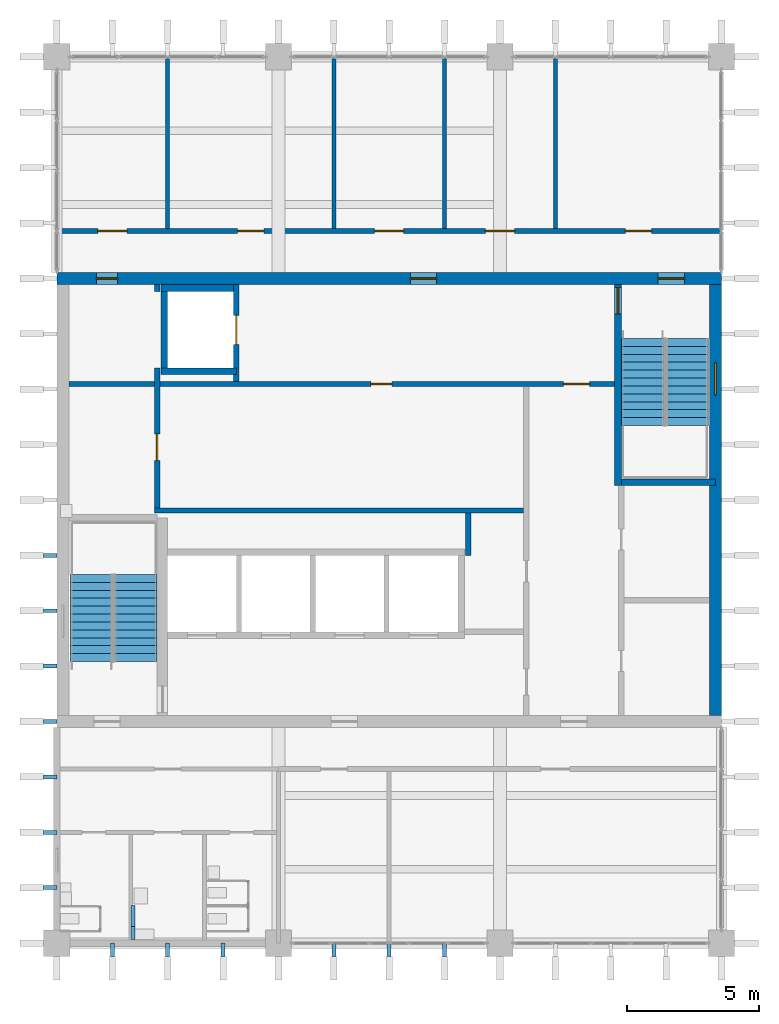
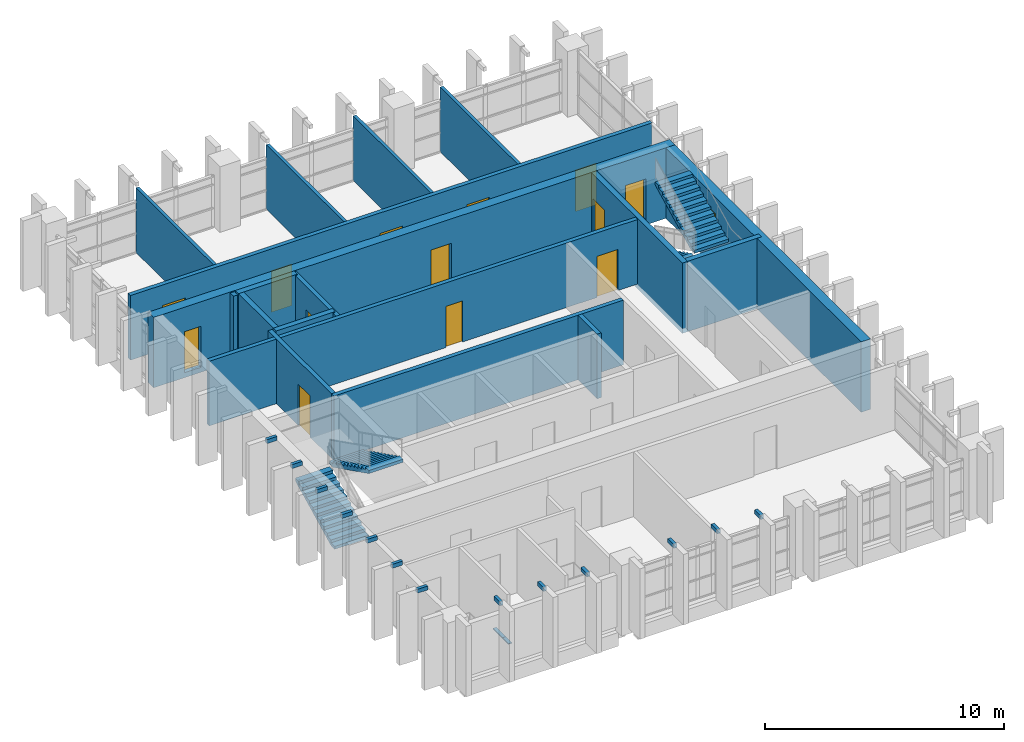
# One storey, part 8 of 11: 18 walls, 15 discrete accessories, 13 doors, 4 stair flights, 1 window, 14 openings, 2 elements without a shape of their own.
"""IFC4 building model written with IfcOpenShell, lengths in metres."""

from ifc_helpers import new_model, si_unit, direction, frame, frame_2d, origin, origin_2d, place, context, subcontext, project, spatial, polyline, rectangle, outline, extrude, material, layer, layer_set, type_object, element, fill, aggregate, save


model = new_model("IFC4")

# Units and contexts
model_context = context("Model", 3, precision=1e-05, world=origin(), true_north=direction((0.0, 1.0)))
body_context = subcontext(model_context, "Body", "Model", "MODEL_VIEW")
ifc_project = project(units=[si_unit("LENGTHUNIT", "METRE"), si_unit("AREAUNIT", "SQUARE_METRE"), si_unit("VOLUMEUNIT", "CUBIC_METRE"), si_unit("PLANEANGLEUNIT", "RADIAN"), si_unit("MASSUNIT", "GRAM", prefix="KILO")], contexts=[model_context])

# Site, building, storey
site_placement = place(None, origin())
site = spatial("IfcSite", under=ifc_project, at=site_placement, CompositionType="ELEMENT")
building_placement = place(site_placement, origin())
building = spatial("IfcBuilding", under=site, at=building_placement, Name="Rulbaag Community and Learning Centre", CompositionType="ELEMENT")
storey_placement = place(building_placement, frame((0.0, 0.0, 21.60009765625)))
storey = spatial("IfcBuildingStorey", under=building, at=storey_placement, Name="L05", CompositionType="ELEMENT", Elevation=21.60009765625)

# Wall
ifc_material_1 = material(Name="Concrete blockwork", Category="masonry")
ifc_layer_1 = layer(ifc_material_1, 0.199951171875)
ifc_layer_set_1 = layer_set([ifc_layer_1], Name="FW-200 FIRE WALL 200")
wall_type_1 = type_object("IfcWallType", Name="FW-200 FIRE WALL 200", PredefinedType="SOLIDWALL", material=ifc_layer_set_1)
wall_1_placement = place(storey_placement, frame((146.5, 100.39990234375, 0.0), z_axis=(0.0, 0.0, 1.0), x_axis=(1.0, 0.0, 0.0)))
element("IfcWall", 1, at=wall_1_placement, inside=storey, type_object=wall_type_1, Name="Fire wall L05 8", PredefinedType="SOLIDWALL", context=body_context, shape_type="SweptSolid", body=[
    extrude(rectangle(XDim=14.0, YDim=0.199951171875, at=frame_2d((7.0, 0.0))), origin(), (0.0, 0.0, 1.0), 3.2998046875),
])

# Wall, openings, doors
wall_2_placement = place(storey_placement, frame((143.25, 105.199951171875, 0.0), z_axis=(0.0, 0.0, 1.0), x_axis=(1.0, 0.0, 0.0)))
wall_2 = element("IfcWall", 2, at=wall_2_placement, inside=storey, type_object=wall_type_1, Name="Fire wall L05 9", PredefinedType="SOLIDWALL", context=body_context, shape_type="SweptSolid", body=[
    extrude(rectangle(XDim=20.699951171875, YDim=0.199951171875, at=frame_2d((10.35009765625, 0.0))), origin(), (0.0, 0.0, 1.0), 3.2998046875),
])
opening_1_placement = place(wall_2_placement, frame((11.449951171875, 0.0, 0.0)))
opening_1 = element("IfcOpeningElement", 3, at=opening_1_placement, cuts=wall_2, Name="Opening L05-D020", PredefinedType="OPENING", context=body_context, shape_type="SweptSolid", body=[
    extrude(rectangle(XDim=0.800048828125, YDim=2.10009765625, at=frame_2d((0.39990234375, 1.050048828125))), frame((0.0, 0.10986328125, 0.0), z_axis=(0.0, -1.0, 0.0), x_axis=(1.0, 0.0, 0.0)), (0.0, 0.0, 1.0), 0.219970703125),
])
opening_2_placement = place(wall_2_placement, frame((18.75, 0.0, 0.0)))
opening_2 = element("IfcOpeningElement", 4, at=opening_2_placement, cuts=wall_2, Name="Opening L05-D029", PredefinedType="OPENING", context=body_context, shape_type="SweptSolid", body=[
    extrude(rectangle(XDim=1.0, YDim=2.10009765625, at=frame_2d((0.5, 1.050048828125))), frame((0.0, 0.10986328125, 0.0), z_axis=(0.0, -1.0, 0.0), x_axis=(1.0, 0.0, 0.0)), (0.0, 0.0, 1.0), 0.219970703125),
])
ifc_material_2 = material(Name="Galvanised steel", Category="steel")
door_type_1 = type_object("IfcDoorType", Name="FD-1000 FIRE DOOR 1000 x 2100", OperationType="SINGLE_SWING_LEFT", PredefinedType="DOOR", material=ifc_material_2)
door_1_placement = place(opening_2_placement, origin())
door_1 = element("IfcDoor", 5, at=door_1_placement, inside=storey, type_object=door_type_1, Name="Door L05-D029", OperationType="SINGLE_SWING_LEFT", OverallHeight=2.10009765625, OverallWidth=1.0, PredefinedType="DOOR", context=body_context, shape_type="SweptSolid", body=[
    extrude(rectangle(XDim=1.0, YDim=2.10009765625, at=frame_2d((0.5, 1.050048828125))), frame((0.0, 0.02490234375, 0.0), z_axis=(0.0, -1.0, 0.0), x_axis=(1.0, 0.0, 0.0)), (0.0, 0.0, 1.0), 0.050048828125),
])
fill(opening_2, door_1)
door_type_2 = type_object("IfcDoorType", Name="FDR-800 RISER FIRE DOOR 800 x 2100", OperationType="SINGLE_SWING_LEFT", PredefinedType="DOOR", material=ifc_material_2)
door_2_placement = place(opening_1_placement, origin())
door_2 = element("IfcDoor", 6, at=door_2_placement, inside=storey, type_object=door_type_2, Name="Riser door L05-D023", OperationType="SINGLE_SWING_RIGHT", OverallHeight=2.10009765625, OverallWidth=0.800048828125, PredefinedType="DOOR", context=body_context, shape_type="SweptSolid", body=[
    extrude(rectangle(XDim=0.800048828125, YDim=2.10009765625, at=frame_2d((0.39990234375, 1.050048828125))), frame((0.0, 0.02490234375, 0.0), z_axis=(0.0, -1.0, 0.0), x_axis=(1.0, 0.0, 0.0)), (0.0, 0.0, 1.0), 0.050048828125),
])
fill(opening_1, door_2)

wall_3_placement = place(storey_placement, frame((142.800048828125, 111.0, 0.0), z_axis=(0.0, 0.0, 1.0), x_axis=(1.0, 0.0, 0.0)))
wall_3 = element("IfcWall", 7, at=wall_3_placement, inside=storey, type_object=wall_type_1, Name="Fire wall L05 10", PredefinedType="SOLIDWALL", context=body_context, shape_type="SweptSolid", body=[
    extrude(rectangle(XDim=25.199951171875, YDim=0.199951171875, at=frame_2d((12.60009765625, 0.0))), origin(), (0.0, 0.0, 1.0), 3.2998046875),
])
opening_3_placement = place(wall_3_placement, frame((1.550048828125, 0.0, 0.0)))
opening_3 = element("IfcOpeningElement", 8, at=opening_3_placement, cuts=wall_3, Name="Opening L05-D005", PredefinedType="OPENING", context=body_context, shape_type="SweptSolid", body=[
    extrude(rectangle(XDim=1.10009765625, YDim=2.25, at=frame_2d((0.550048828125, 1.125))), frame((0.0, 0.10986328125, 0.0), z_axis=(0.0, -1.0, 0.0), x_axis=(1.0, 0.0, 0.0)), (0.0, 0.0, 1.0), 0.219970703125),
])
opening_4_placement = place(wall_3_placement, frame((6.85009765625, 0.0, 0.0)))
opening_4 = element("IfcOpeningElement", 9, at=opening_4_placement, cuts=wall_3, Name="Opening L05-D015", PredefinedType="OPENING", context=body_context, shape_type="SweptSolid", body=[
    extrude(rectangle(XDim=1.0, YDim=2.10009765625, at=frame_2d((0.5, 1.050048828125))), frame((0.0, 0.10986328125, 0.0), z_axis=(0.0, -1.0, 0.0), x_axis=(1.0, 0.0, 0.0)), (0.0, 0.0, 1.0), 0.219970703125),
])
opening_5_placement = place(wall_3_placement, frame((12.050048828125, 0.0, 0.0)))
opening_5 = element("IfcOpeningElement", 10, at=opening_5_placement, cuts=wall_3, Name="Opening L05-D021", PredefinedType="OPENING", context=body_context, shape_type="SweptSolid", body=[
    extrude(rectangle(XDim=1.10009765625, YDim=2.25, at=frame_2d((0.550048828125, 1.125))), frame((0.0, 0.10986328125, 0.0), z_axis=(0.0, -1.0, 0.0), x_axis=(1.0, 0.0, 0.0)), (0.0, 0.0, 1.0), 0.219970703125),
])
opening_6_placement = place(wall_3_placement, frame((16.25, 0.0, 0.0)))
opening_6 = element("IfcOpeningElement", 11, at=opening_6_placement, cuts=wall_3, Name="Opening L05-D024", PredefinedType="OPENING", context=body_context, shape_type="SweptSolid", body=[
    extrude(rectangle(XDim=1.10009765625, YDim=2.25, at=frame_2d((0.550048828125, 1.125))), frame((0.0, 0.10986328125, 0.0), z_axis=(0.0, -1.0, 0.0), x_axis=(1.0, 0.0, 0.0)), (0.0, 0.0, 1.0), 0.219970703125),
])
opening_7_placement = place(wall_3_placement, frame((21.550048828125, 0.0, 0.0)))
opening_7 = element("IfcOpeningElement", 12, at=opening_7_placement, cuts=wall_3, Name="Opening L05-D033", PredefinedType="OPENING", context=body_context, shape_type="SweptSolid", body=[
    extrude(rectangle(XDim=1.0, YDim=2.10009765625, at=frame_2d((0.5, 1.050048828125))), frame((0.0, 0.10986328125, 0.0), z_axis=(0.0, -1.0, 0.0), x_axis=(1.0, 0.0, 0.0)), (0.0, 0.0, 1.0), 0.219970703125),
])
ifc_material_3 = material(Name="Timber", Category="wood")
door_type_3 = type_object("IfcDoorType", Name="D-1100 OFFICE SUITE ENTRANCE DOOR 1100 x 2250", OperationType="SINGLE_SWING_LEFT", PredefinedType="DOOR", material=ifc_material_3)
door_3_placement = place(opening_3_placement, origin())
door_3 = element("IfcDoor", 13, at=door_3_placement, inside=storey, type_object=door_type_3, Name="Door L05-D005", OperationType="SINGLE_SWING_RIGHT", OverallHeight=2.25, OverallWidth=1.10009765625, PredefinedType="DOOR", context=body_context, shape_type="SweptSolid", body=[
    extrude(rectangle(XDim=1.10009765625, YDim=2.25, at=frame_2d((0.550048828125, 1.125))), frame((0.0, 0.02490234375, 0.0), z_axis=(0.0, -1.0, 0.0), x_axis=(1.0, 0.0, 0.0)), (0.0, 0.0, 1.0), 0.050048828125),
])
fill(opening_3, door_3)
door_4_placement = place(opening_5_placement, origin())
door_4 = element("IfcDoor", 14, at=door_4_placement, inside=storey, type_object=door_type_3, Name="Door L05-D021", OperationType="SINGLE_SWING_RIGHT", OverallHeight=2.25, OverallWidth=1.10009765625, PredefinedType="DOOR", context=body_context, shape_type="SweptSolid", body=[
    extrude(rectangle(XDim=1.10009765625, YDim=2.25, at=frame_2d((0.550048828125, 1.125))), frame((0.0, 0.02490234375, 0.0), z_axis=(0.0, -1.0, 0.0), x_axis=(1.0, 0.0, 0.0)), (0.0, 0.0, 1.0), 0.050048828125),
])
fill(opening_5, door_4)
door_5_placement = place(opening_6_placement, origin())
door_5 = element("IfcDoor", 15, at=door_5_placement, inside=storey, type_object=door_type_3, Name="Door L05-D024", OperationType="SINGLE_SWING_LEFT", OverallHeight=2.25, OverallWidth=1.10009765625, PredefinedType="DOOR", context=body_context, shape_type="SweptSolid", body=[
    extrude(rectangle(XDim=1.10009765625, YDim=2.25, at=frame_2d((0.550048828125, 1.125))), frame((0.0, 0.02490234375, 0.0), z_axis=(0.0, -1.0, 0.0), x_axis=(1.0, 0.0, 0.0)), (0.0, 0.0, 1.0), 0.050048828125),
])
fill(opening_6, door_5)
door_6_placement = place(opening_4_placement, origin())
door_6 = element("IfcDoor", 16, at=door_6_placement, inside=storey, type_object=door_type_1, Name="Door L05-D015", OperationType="SINGLE_SWING_RIGHT", OverallHeight=2.10009765625, OverallWidth=1.0, PredefinedType="DOOR", context=body_context, shape_type="SweptSolid", body=[
    extrude(rectangle(XDim=1.0, YDim=2.10009765625, at=frame_2d((0.5, 1.050048828125))), frame((0.0, 0.02490234375, 0.0), z_axis=(0.0, -1.0, 0.0), x_axis=(1.0, 0.0, 0.0)), (0.0, 0.0, 1.0), 0.050048828125),
])
fill(opening_4, door_6)
door_7_placement = place(opening_7_placement, origin())
door_7 = element("IfcDoor", 17, at=door_7_placement, inside=storey, type_object=door_type_1, Name="Door L05-D033", OperationType="SINGLE_SWING_LEFT", OverallHeight=2.10009765625, OverallWidth=1.0, PredefinedType="DOOR", context=body_context, shape_type="SweptSolid", body=[
    extrude(rectangle(XDim=1.0, YDim=2.10009765625, at=frame_2d((0.5, 1.050048828125))), frame((0.0, 0.02490234375, 0.0), z_axis=(0.0, -1.0, 0.0), x_axis=(1.0, 0.0, 0.0)), (0.0, 0.0, 1.0), 0.050048828125),
])
fill(opening_7, door_7)

# Wall, opening, door
wall_4_placement = place(storey_placement, frame((146.60009765625, 100.5, 0.0), z_axis=(0.0, 0.0, 1.0), x_axis=(0.0, 1.0, 0.0)))
wall_4 = element("IfcWall", 18, at=wall_4_placement, inside=storey, type_object=wall_type_1, Name="Fire wall L05 12", PredefinedType="SOLIDWALL", context=body_context, shape_type="SweptSolid", body=[
    extrude(rectangle(XDim=5.300048828125, YDim=0.199951171875, at=frame_2d((2.64990234375, 0.0))), origin(), (0.0, 0.0, 1.0), 3.2998046875),
])
opening_8_placement = place(wall_4_placement, frame((1.800048828125, 0.0, 0.0)))
opening_8 = element("IfcOpeningElement", 19, at=opening_8_placement, cuts=wall_4, Name="Opening L05-D006", PredefinedType="OPENING", context=body_context, shape_type="SweptSolid", body=[
    extrude(rectangle(XDim=1.0, YDim=2.10009765625, at=frame_2d((0.5, 1.050048828125))), frame((0.0, 0.10986328125, 0.0), z_axis=(0.0, -1.0, 0.0), x_axis=(1.0, 0.0, 0.0)), (0.0, 0.0, 1.0), 0.219970703125),
])
door_8_placement = place(opening_8_placement, origin())
door_8 = element("IfcDoor", 20, at=door_8_placement, inside=storey, type_object=door_type_1, Name="Door L05-D006", OperationType="SINGLE_SWING_LEFT", OverallHeight=2.10009765625, OverallWidth=1.0, PredefinedType="DOOR", context=body_context, shape_type="SweptSolid", body=[
    extrude(rectangle(XDim=1.0, YDim=2.10009765625, at=frame_2d((0.5, 1.050048828125))), frame((0.0, 0.02490234375, 0.0), z_axis=(0.0, -1.0, 0.0), x_axis=(1.0, 0.0, 0.0)), (0.0, 0.0, 1.0), 0.050048828125),
])
fill(opening_8, door_8)

# Wall
wall_5_placement = place(storey_placement, frame((146.60009765625, 108.699951171875, 0.0), z_axis=(0.0, 0.0, 1.0), x_axis=(0.0, 1.0, 0.0)))
element("IfcWall", 21, at=wall_5_placement, inside=storey, type_object=wall_type_1, Name="Fire wall L05 13", PredefinedType="SOLIDWALL", context=body_context, shape_type="SweptSolid", body=[
    extrude(rectangle(XDim=0.275146484375, YDim=0.199951171875, at=frame_2d((0.1376953125, 0.0))), origin(), (0.0, 0.0, 1.0), 3.2998046875),
])

# Wall, opening, door
wall_6_placement = place(storey_placement, frame((149.60009765625, 105.300048828125, 0.0), z_axis=(0.0, 0.0, 1.0), x_axis=(0.0, 1.0, 0.0)))
wall_6 = element("IfcWall", 22, at=wall_6_placement, inside=storey, type_object=wall_type_1, Name="Fire wall L05 16", PredefinedType="SOLIDWALL", context=body_context, shape_type="SweptSolid", body=[
    extrude(rectangle(XDim=3.675048828125, YDim=0.199951171875, at=frame_2d((1.83740234375, 0.0))), origin(), (0.0, 0.0, 1.0), 3.2998046875),
])
opening_9_placement = place(wall_6_placement, frame((1.39990234375, 0.0, 0.0)))
opening_9 = element("IfcOpeningElement", 23, at=opening_9_placement, cuts=wall_6, Name="Opening L05-D011", PredefinedType="OPENING", context=body_context, shape_type="SweptSolid", body=[
    extrude(rectangle(XDim=1.10009765625, YDim=2.10009765625, at=frame_2d((0.550048828125, 1.050048828125))), frame((0.0, 0.10986328125, 0.0), z_axis=(0.0, -1.0, 0.0), x_axis=(1.0, 0.0, 0.0)), (0.0, 0.0, 1.0), 0.219970703125),
])
ifc_material_4 = material(Name="Stainless steel grade 304", Category="steel")
door_type_4 = type_object("IfcDoorType", Name="LD-1100 LIFT LANDING DOOR 1100 x 2100", OperationType="SLIDING_TO_LEFT", PredefinedType="DOOR", material=ifc_material_4)
door_9_placement = place(opening_9_placement, origin())
door_9 = element("IfcDoor", 24, at=door_9_placement, inside=storey, type_object=door_type_4, Name="Lift landing door LF1 L05", OperationType="SLIDING_TO_LEFT", OverallHeight=2.10009765625, OverallWidth=1.10009765625, PredefinedType="DOOR", context=body_context, shape_type="SweptSolid", body=[
    extrude(rectangle(XDim=1.10009765625, YDim=2.10009765625, at=frame_2d((0.550048828125, 1.050048828125))), frame((0.0, 0.02490234375, 0.0), z_axis=(0.0, -1.0, 0.0), x_axis=(1.0, 0.0, 0.0)), (0.0, 0.0, 1.0), 0.050048828125),
])
fill(opening_9, door_9)

# Walls
wall_7_placement = place(storey_placement, frame((158.39990234375, 98.699951171875, 0.0), z_axis=(0.0, 0.0, 1.0), x_axis=(0.0, 1.0, 0.0)))
element("IfcWall", 25, at=wall_7_placement, inside=storey, type_object=wall_type_1, Name="Fire wall L05 21", PredefinedType="SOLIDWALL", context=body_context, shape_type="SweptSolid", body=[
    extrude(rectangle(XDim=1.60009765625, YDim=0.199951171875, at=frame_2d((0.800048828125, 0.0))), origin(), (0.0, 0.0, 1.0), 3.2998046875),
])
ifc_layer_2 = layer(ifc_material_1, 0.14990234375)
ifc_layer_set_2 = layer_set([ifc_layer_2], Name="IP-150 PARTITION 150")
wall_type_2 = type_object("IfcWallType", Name="IP-150 PARTITION 150", PredefinedType="PARTITIONING", material=ifc_layer_set_2)
for number, where, z_axis, x_axis, name in (
    (26, (147.0, 111.10009765625, 0.0), (0.0, 0.0, 1.0), (0.0, 1.0, 0.0), "Partition L05 14"),
    (27, (153.300048828125, 111.10009765625, 0.0), (0.0, 0.0, 1.0), (0.0, 1.0, 0.0), "Partition L05 18"),
    (28, (157.5, 111.10009765625, 0.0), (0.0, 0.0, 1.0), (0.0, 1.0, 0.0), "Partition L05 20"),
    (29, (161.699951171875, 111.10009765625, 0.0), (0.0, 0.0, 1.0), (0.0, 1.0, 0.0), "Partition L05 23"),
):
    element("IfcWall", number, at=place(storey_placement, frame(where, z_axis=z_axis, x_axis=x_axis)), inside=storey, type_object=wall_type_2, Name=name, PredefinedType="PARTITIONING", context=body_context, shape_type="SweptSolid", body=[
        extrude(rectangle(XDim=6.5, YDim=0.14990234375, at=frame_2d((3.25, 0.0))), origin(), (0.0, 0.0, 1.0), 3.2998046875),
    ])

# Wall, openings, doors
ifc_material_5 = material(Name="Concrete M60", Category="concrete")
ifc_layer_3 = layer(ifc_material_5, 0.449951171875)
ifc_layer_set_3 = layer_set([ifc_layer_3], Name="W1 Core wall 450 Concrete M60")
wall_type_3 = type_object("IfcWallType", Name="W1 Core wall 450 Concrete M60", PredefinedType="SHEAR", material=ifc_layer_set_3)
wall_8_placement = place(storey_placement, frame((142.800048828125, 109.199951171875, -0.25), z_axis=(0.0, 0.0, 1.0), x_axis=(1.0, 0.0, 0.0)))
wall_8 = element("IfcWall", 30, at=wall_8_placement, inside=storey, type_object=wall_type_3, Name="WL-CORE-N-L05", PredefinedType="SHEAR", context=body_context, shape_type="SweptSolid", body=[
    extrude(rectangle(XDim=25.199951171875, YDim=0.449951171875, at=frame_2d((12.60009765625, 0.0))), origin(), (0.0, 0.0, 1.0), 3.599853515625),
])
opening_10_placement = place(wall_8_placement, frame((22.800048828125, 0.0, 0.25)))
opening_10 = element("IfcOpeningElement", 31, at=opening_10_placement, cuts=wall_8, Name="Opening L05-D034", PredefinedType="OPENING", context=body_context, shape_type="SweptSolid", body=[
    extrude(rectangle(XDim=1.0, YDim=2.10009765625, at=frame_2d((0.5, 1.050048828125))), frame((0.0, 0.23486328125, 0.0), z_axis=(0.0, -1.0, 0.0), x_axis=(1.0, 0.0, 0.0)), (0.0, 0.0, 1.0), 0.469970703125),
])
opening_11_placement = place(wall_8_placement, frame((1.5, 0.0, 0.25)))
opening_11 = element("IfcOpeningElement", 32, at=opening_11_placement, cuts=wall_8, Name="Opening L05-D004", PredefinedType="OPENING", context=body_context, shape_type="SweptSolid", body=[
    extrude(rectangle(XDim=0.800048828125, YDim=2.10009765625, at=frame_2d((0.39990234375, 1.050048828125))), frame((0.0, 0.23486328125, 0.0), z_axis=(0.0, -1.0, 0.0), x_axis=(1.0, 0.0, 0.0)), (0.0, 0.0, 1.0), 0.469970703125),
])
opening_12_placement = place(wall_8_placement, frame((13.39990234375, 0.0, 0.25)))
opening_12 = element("IfcOpeningElement", 33, at=opening_12_placement, cuts=wall_8, Name="Opening L05-D023", PredefinedType="OPENING", context=body_context, shape_type="SweptSolid", body=[
    extrude(rectangle(XDim=1.0, YDim=2.10009765625, at=frame_2d((0.5, 1.050048828125))), frame((0.0, 0.23486328125, 0.0), z_axis=(0.0, -1.0, 0.0), x_axis=(1.0, 0.0, 0.0)), (0.0, 0.0, 1.0), 0.469970703125),
])
door_10_placement = place(opening_10_placement, origin())
door_10 = element("IfcDoor", 34, at=door_10_placement, inside=storey, type_object=door_type_1, Name="Door L05-D034", OperationType="SINGLE_SWING_LEFT", OverallHeight=2.10009765625, OverallWidth=1.0, PredefinedType="DOOR", context=body_context, shape_type="SweptSolid", body=[
    extrude(rectangle(XDim=1.0, YDim=2.10009765625, at=frame_2d((0.5, 1.050048828125))), frame((0.0, 0.02490234375, 0.0), z_axis=(0.0, -1.0, 0.0), x_axis=(1.0, 0.0, 0.0)), (0.0, 0.0, 1.0), 0.050048828125),
])
fill(opening_10, door_10)
door_11_placement = place(opening_12_placement, origin())
door_11 = element("IfcDoor", 35, at=door_11_placement, inside=storey, type_object=door_type_1, Name="Door L05-D023", OperationType="SINGLE_SWING_LEFT", OverallHeight=2.10009765625, OverallWidth=1.0, PredefinedType="DOOR", context=body_context, shape_type="SweptSolid", body=[
    extrude(rectangle(XDim=1.0, YDim=2.10009765625, at=frame_2d((0.5, 1.050048828125))), frame((0.0, 0.02490234375, 0.0), z_axis=(0.0, -1.0, 0.0), x_axis=(1.0, 0.0, 0.0)), (0.0, 0.0, 1.0), 0.050048828125),
])
fill(opening_12, door_11)
door_12_placement = place(opening_11_placement, origin())
door_12 = element("IfcDoor", 36, at=door_12_placement, inside=storey, type_object=door_type_2, Name="Riser door L05-D025", OperationType="SINGLE_SWING_LEFT", OverallHeight=2.10009765625, OverallWidth=0.800048828125, PredefinedType="DOOR", context=body_context, shape_type="SweptSolid", body=[
    extrude(rectangle(XDim=0.800048828125, YDim=2.10009765625, at=frame_2d((0.39990234375, 1.050048828125))), frame((0.0, 0.02490234375, 0.0), z_axis=(0.0, -1.0, 0.0), x_axis=(1.0, 0.0, 0.0)), (0.0, 0.0, 1.0), 0.050048828125),
])
fill(opening_11, door_12)

# Wall, opening, window
wall_9_placement = place(storey_placement, frame((167.77490234375, 92.625, -0.25), z_axis=(0.0, 0.0, 1.0), x_axis=(0.0, 1.0, 0.0)))
wall_9 = element("IfcWall", 37, at=wall_9_placement, inside=storey, type_object=wall_type_3, Name="WL-CORE-E-L05", PredefinedType="SHEAR", context=body_context, shape_type="SweptSolid", body=[
    extrude(rectangle(XDim=16.35009765625, YDim=0.449951171875, at=frame_2d((8.175048828125, 0.0))), origin(), (0.0, 0.0, 1.0), 3.599853515625),
])
opening_13_placement = place(wall_9_placement, frame((12.175048828125, 0.0, 1.85009765625)))
opening_13 = element("IfcOpeningElement", 38, at=opening_13_placement, cuts=wall_9, Name="Opening WN19", PredefinedType="OPENING", context=body_context, shape_type="SweptSolid", body=[
    extrude(rectangle(XDim=1.199951171875, YDim=0.89990234375, at=frame_2d((0.60009765625, 0.449951171875))), frame((0.0, 0.23486328125, 0.0), z_axis=(0.0, -1.0, 0.0), x_axis=(1.0, 0.0, 0.0)), (0.0, 0.0, 1.0), 0.469970703125),
])
ifc_material_6 = material(Name="Aluminium", Category="aluminium")
window_type = type_object("IfcWindowType", Name="WS-12", PartitioningType="SINGLE_PANEL", PredefinedType="WINDOW", material=ifc_material_6)
window_placement = place(opening_13_placement, origin())
window = element("IfcWindow", 39, at=window_placement, inside=storey, type_object=window_type, Name="Stair window", OverallHeight=0.89990234375, OverallWidth=1.199951171875, PartitioningType="SINGLE_PANEL", PredefinedType="WINDOW", context=body_context, shape_type="SweptSolid", body=[
    extrude(rectangle(XDim=1.199951171875, YDim=0.89990234375, at=frame_2d((0.60009765625, 0.449951171875))), frame((0.0, 0.030029296875, 0.0), z_axis=(0.0, -1.0, 0.0), x_axis=(1.0, 0.0, 0.0)), (0.0, 0.0, 1.0), 0.06005859375),
])
fill(opening_13, window)

# Wall
ifc_material_7 = material(Name="Concrete M40", Category="concrete")
ifc_layer_4 = layer(ifc_material_7, 0.27490234375)
ifc_layer_set_4 = layer_set([ifc_layer_4], Name="W16 Shaft wall 275 Concrete M40")
wall_type_4 = type_object("IfcWallType", Name="W16 Shaft wall 275 Concrete M40", PredefinedType="SHEAR", material=ifc_layer_set_4)
wall_10_placement = place(storey_placement, frame((146.75, 108.83740234375, -0.25), z_axis=(0.0, 0.0, 1.0), x_axis=(1.0, 0.0, 0.0)))
element("IfcWall", 40, at=wall_10_placement, inside=storey, type_object=wall_type_4, Name="WL-LF-N-L05", PredefinedType="SHEAR", context=body_context, shape_type="SweptSolid", body=[
    extrude(rectangle(XDim=2.85009765625, YDim=0.27490234375, at=frame_2d((1.425048828125, 0.0))), origin(), (0.0, 0.0, 1.0), 3.599853515625),
])

# Wall, opening, door
ifc_layer_5 = layer(ifc_material_7, 0.25)
ifc_layer_set_5 = layer_set([ifc_layer_5], Name="W5 Shaft wall 250 Concrete M40")
wall_type_5 = type_object("IfcWallType", Name="W5 Shaft wall 250 Concrete M40", PredefinedType="SHEAR", material=ifc_layer_set_5)
wall_11_placement = place(storey_placement, frame((164.074951171875, 101.35009765625, -0.25), z_axis=(0.0, 0.0, 1.0), x_axis=(0.0, 1.0, 0.0)))
wall_11 = element("IfcWall", 41, at=wall_11_placement, inside=storey, type_object=wall_type_5, Name="WL-ST2-W-L05", PredefinedType="SHEAR", context=body_context, shape_type="SweptSolid", body=[
    extrude(rectangle(XDim=7.625, YDim=0.25, at=frame_2d((3.8125, 0.0))), origin(), (0.0, 0.0, 1.0), 3.599853515625),
])
opening_14_placement = place(wall_11_placement, frame((6.5, 0.0, 0.25)))
opening_14 = element("IfcOpeningElement", 42, at=opening_14_placement, cuts=wall_11, Name="Opening L05-D030", PredefinedType="OPENING", context=body_context, shape_type="SweptSolid", body=[
    extrude(rectangle(XDim=1.0, YDim=2.10009765625, at=frame_2d((0.5, 1.050048828125))), frame((0.0, 0.135009765625, 0.0), z_axis=(0.0, -1.0, 0.0), x_axis=(1.0, 0.0, 0.0)), (0.0, 0.0, 1.0), 0.27001953125),
])
door_13_placement = place(opening_14_placement, origin())
door_13 = element("IfcDoor", 43, at=door_13_placement, inside=storey, type_object=door_type_1, Name="Door L05-D030", OperationType="SINGLE_SWING_LEFT", OverallHeight=2.10009765625, OverallWidth=1.0, PredefinedType="DOOR", context=body_context, shape_type="SweptSolid", body=[
    extrude(rectangle(XDim=1.0, YDim=2.10009765625, at=frame_2d((0.5, 1.050048828125))), frame((0.0, 0.02490234375, 0.0), z_axis=(0.0, -1.0, 0.0), x_axis=(1.0, 0.0, 0.0)), (0.0, 0.0, 1.0), 0.050048828125),
])
fill(opening_14, door_13)

# Walls
wall_12_placement = place(storey_placement, frame((164.199951171875, 101.47509765625, -0.25), z_axis=(0.0, 0.0, 1.0), x_axis=(1.0, 0.0, 0.0)))
element("IfcWall", 44, at=wall_12_placement, inside=storey, type_object=wall_type_5, Name="WL-ST2-S-L05", PredefinedType="SHEAR", context=body_context, shape_type="SweptSolid", body=[
    extrude(rectangle(XDim=3.574951171875, YDim=0.25, at=frame_2d((1.78759765625, 0.0))), origin(), (0.0, 0.0, 1.0), 3.599853515625),
])
wall_13_placement = place(storey_placement, frame((146.75, 105.675048828125, -0.25), z_axis=(0.0, 0.0, 1.0), x_axis=(1.0, 0.0, 0.0)))
element("IfcWall", 45, at=wall_13_placement, inside=storey, type_object=wall_type_5, Name="WL-LF-S-L05", PredefinedType="SHEAR", context=body_context, shape_type="SweptSolid", body=[
    extrude(rectangle(XDim=2.85009765625, YDim=0.25, at=frame_2d((1.425048828125, 0.0))), origin(), (0.0, 0.0, 1.0), 3.599853515625),
])
wall_14_placement = place(storey_placement, frame((146.875, 105.800048828125, -0.25), z_axis=(0.0, 0.0, 1.0), x_axis=(0.0, 1.0, 0.0)))
element("IfcWall", 46, at=wall_14_placement, inside=storey, type_object=wall_type_5, Name="WL-LF-W-L05", PredefinedType="SHEAR", context=body_context, shape_type="SweptSolid", body=[
    extrude(rectangle(XDim=2.89990234375, YDim=0.25, at=frame_2d((1.449951171875, 0.0))), origin(), (0.0, 0.0, 1.0), 3.599853515625),
])

# Stair, stair flights
stair_type = type_object("IfcStairType", Name="ST-1650 STAIR 1650 WIDE", PredefinedType="HALF_TURN_STAIR", material=ifc_material_7)
stair_1_placement = place(storey_placement, origin())
stair_1 = element("IfcStair", 47, at=stair_1_placement, inside=storey, type_object=stair_type, Name="Stair ST1 L05", PredefinedType="HALF_TURN_STAIR")
stair_flight_type = type_object("IfcStairFlightType", Name="FL-1650 FLIGHT 1650 WIDE Concrete M40", PredefinedType="STRAIGHT", material=ifc_material_7)
stair_flight_1_placement = place(storey_placement, frame((144.125, 94.675048828125, 0.0), z_axis=(0.0, 0.0, 1.0), x_axis=(0.0, 1.0, 0.0)))
stair_flight_1 = element("IfcStairFlight", 48, at=stair_flight_1_placement, type_object=stair_flight_type, Name="ST1 flight 1", NumberOfRisers=12, NumberOfTreads=11, PredefinedType="STRAIGHT", RiserHeight=0.15, TreadLength=0.3, context=body_context, shape_type="SweptSolid", body=[
    extrude(outline(polyline([(0.0, 0.0), (0.0, 0.14990234375), (0.300048828125, 0.14990234375), (0.300048828125, 0.300048828125), (0.60009765625, 0.300048828125), (0.60009765625, 0.449951171875), (0.89990234375, 0.449951171875), (0.89990234375, 0.60009765625), (1.199951171875, 0.60009765625), (1.199951171875, 0.75), (1.5, 0.75), (1.5, 0.89990234375), (1.800048828125, 0.89990234375), (1.800048828125, 1.050048828125), (2.10009765625, 1.050048828125), (2.10009765625, 1.199951171875), (2.39990234375, 1.199951171875), (2.39990234375, 1.35009765625), (2.699951171875, 1.35009765625), (2.699951171875, 1.5), (3.0, 1.5), (3.0, 1.64990234375), (3.300048828125, 1.64990234375), (3.300048828125, 1.49365234375), (0.312744140625, 0.0), (0.0, 0.0)])), frame((0.0, 0.824951171875, 0.0), z_axis=(0.0, -1.0, 0.0), x_axis=(1.0, 0.0, 0.0)), (0.0, 0.0, 1.0), 1.64990234375),
])
stair_flight_2_placement = place(storey_placement, frame((145.77490234375, 97.97509765625, 1.7998046875), z_axis=(0.0, 0.0, 1.0), x_axis=(0.0, -1.0, 0.0)))
stair_flight_2 = element("IfcStairFlight", 49, at=stair_flight_2_placement, type_object=stair_flight_type, Name="ST1 flight 2", NumberOfRisers=12, NumberOfTreads=11, PredefinedType="STRAIGHT", RiserHeight=0.15, TreadLength=0.3, context=body_context, shape_type="SweptSolid", body=[
    extrude(outline(polyline([(0.0, 0.0), (0.0, 0.14990234375), (0.300048828125, 0.14990234375), (0.300048828125, 0.300048828125), (0.60009765625, 0.300048828125), (0.60009765625, 0.449951171875), (0.89990234375, 0.449951171875), (0.89990234375, 0.60009765625), (1.199951171875, 0.60009765625), (1.199951171875, 0.75), (1.5, 0.75), (1.5, 0.89990234375), (1.800048828125, 0.89990234375), (1.800048828125, 1.050048828125), (2.10009765625, 1.050048828125), (2.10009765625, 1.199951171875), (2.39990234375, 1.199951171875), (2.39990234375, 1.35009765625), (2.699951171875, 1.35009765625), (2.699951171875, 1.5), (3.0, 1.5), (3.0, 1.64990234375), (3.300048828125, 1.64990234375), (3.300048828125, 1.49365234375), (0.312744140625, 0.0), (0.0, 0.0)])), frame((0.0, 0.824951171875, 0.0), z_axis=(0.0, -1.0, 0.0), x_axis=(1.0, 0.0, 0.0)), (0.0, 0.0, 1.0), 1.64990234375),
])
aggregate(stair_1, [stair_flight_1, stair_flight_2])

stair_2_placement = place(storey_placement, origin())
stair_2 = element("IfcStair", 50, at=stair_2_placement, inside=storey, type_object=stair_type, Name="Stair ST2 L05", PredefinedType="HALF_TURN_STAIR")
stair_flight_3_placement = place(storey_placement, frame((165.02490234375, 106.925048828125, 0.0), z_axis=(0.0, 0.0, 1.0), x_axis=(0.0, -1.0, 0.0)))
stair_flight_3 = element("IfcStairFlight", 51, at=stair_flight_3_placement, type_object=stair_flight_type, Name="ST2 flight 1", NumberOfRisers=12, NumberOfTreads=11, PredefinedType="STRAIGHT", RiserHeight=0.15, TreadLength=0.3, context=body_context, shape_type="SweptSolid", body=[
    extrude(outline(polyline([(0.0, 0.0), (0.0, 0.14990234375), (0.300048828125, 0.14990234375), (0.300048828125, 0.300048828125), (0.60009765625, 0.300048828125), (0.60009765625, 0.449951171875), (0.89990234375, 0.449951171875), (0.89990234375, 0.60009765625), (1.199951171875, 0.60009765625), (1.199951171875, 0.75), (1.5, 0.75), (1.5, 0.89990234375), (1.800048828125, 0.89990234375), (1.800048828125, 1.050048828125), (2.10009765625, 1.050048828125), (2.10009765625, 1.199951171875), (2.39990234375, 1.199951171875), (2.39990234375, 1.35009765625), (2.699951171875, 1.35009765625), (2.699951171875, 1.5), (3.0, 1.5), (3.0, 1.64990234375), (3.300048828125, 1.64990234375), (3.300048828125, 1.49365234375), (0.312744140625, 0.0), (0.0, 0.0)])), frame((0.0, 0.824951171875, 0.0), z_axis=(0.0, -1.0, 0.0), x_axis=(1.0, 0.0, 0.0)), (0.0, 0.0, 1.0), 1.64990234375),
])
stair_flight_4_placement = place(storey_placement, frame((166.675048828125, 103.625, 1.7998046875), z_axis=(0.0, 0.0, 1.0), x_axis=(0.0, 1.0, 0.0)))
stair_flight_4 = element("IfcStairFlight", 52, at=stair_flight_4_placement, type_object=stair_flight_type, Name="ST2 flight 2", NumberOfRisers=12, NumberOfTreads=11, PredefinedType="STRAIGHT", RiserHeight=0.15, TreadLength=0.3, context=body_context, shape_type="SweptSolid", body=[
    extrude(outline(polyline([(0.0, 0.0), (0.0, 0.14990234375), (0.300048828125, 0.14990234375), (0.300048828125, 0.300048828125), (0.60009765625, 0.300048828125), (0.60009765625, 0.449951171875), (0.89990234375, 0.449951171875), (0.89990234375, 0.60009765625), (1.199951171875, 0.60009765625), (1.199951171875, 0.75), (1.5, 0.75), (1.5, 0.89990234375), (1.800048828125, 0.89990234375), (1.800048828125, 1.050048828125), (2.10009765625, 1.050048828125), (2.10009765625, 1.199951171875), (2.39990234375, 1.199951171875), (2.39990234375, 1.35009765625), (2.699951171875, 1.35009765625), (2.699951171875, 1.5), (3.0, 1.5), (3.0, 1.64990234375), (3.300048828125, 1.64990234375), (3.300048828125, 1.49365234375), (0.312744140625, 0.0), (0.0, 0.0)])), frame((0.0, 0.824951171875, 0.0), z_axis=(0.0, -1.0, 0.0), x_axis=(1.0, 0.0, 0.0)), (0.0, 0.0, 1.0), 1.64990234375),
])
aggregate(stair_2, [stair_flight_3, stair_flight_4])

# Discrete accessories
ifc_material_8 = material(Name="Steel E350", Category="steel")
discrete_accessory_type_1 = type_object("IfcDiscreteAccessoryType", Name="BR-FN", PredefinedType="BRACKET", material=ifc_material_8)
for number, where, z_axis, x_axis, name in (
    (53, (144.89990234375, 83.75, 3.35009765625), (0.0, 0.0, 1.0), (1.0, 0.0, 0.0), "Fin arm"),
    (54, (147.0, 83.75, 3.35009765625), (0.0, 0.0, 1.0), (1.0, 0.0, 0.0), "Fin arm"),
    (55, (149.10009765625, 83.75, 3.35009765625), (0.0, 0.0, 1.0), (1.0, 0.0, 0.0), "Fin arm"),
    (56, (153.300048828125, 83.75, 3.35009765625), (0.0, 0.0, 1.0), (1.0, 0.0, 0.0), "Fin arm"),
    (57, (155.39990234375, 83.75, 3.35009765625), (0.0, 0.0, 1.0), (1.0, 0.0, 0.0), "Fin arm"),
    (58, (157.5, 83.75, 3.35009765625), (0.0, 0.0, 1.0), (1.0, 0.0, 0.0), "Fin arm"),
):
    element("IfcDiscreteAccessory", number, at=place(storey_placement, frame(where, z_axis=z_axis, x_axis=x_axis)), inside=storey, type_object=discrete_accessory_type_1, Name=name, PredefinedType="BRACKET", context=body_context, shape_type="SweptSolid", body=[
        extrude(rectangle(XDim=0.14990234375, YDim=0.5, at=origin_2d()), origin(), (0.0, 0.0, 1.0), 0.199951171875),
    ])
for number, where, z_axis, x_axis, name in (
    (59, (142.550048828125, 86.10009765625, 3.35009765625), (0.0, 0.0, 1.0), (1.0, 0.0, 0.0), "Fin arm"),
    (60, (142.550048828125, 88.199951171875, 3.35009765625), (0.0, 0.0, 1.0), (1.0, 0.0, 0.0), "Fin arm"),
    (61, (142.550048828125, 90.300048828125, 3.35009765625), (0.0, 0.0, 1.0), (1.0, 0.0, 0.0), "Fin arm"),
    (62, (142.550048828125, 92.39990234375, 3.35009765625), (0.0, 0.0, 1.0), (1.0, 0.0, 0.0), "Fin arm"),
    (63, (142.550048828125, 94.5, 3.35009765625), (0.0, 0.0, 1.0), (1.0, 0.0, 0.0), "Fin arm"),
    (64, (142.550048828125, 96.60009765625, 3.35009765625), (0.0, 0.0, 1.0), (1.0, 0.0, 0.0), "Fin arm"),
    (65, (142.550048828125, 98.699951171875, 3.35009765625), (0.0, 0.0, 1.0), (1.0, 0.0, 0.0), "Fin arm"),
):
    element("IfcDiscreteAccessory", number, at=place(storey_placement, frame(where, z_axis=z_axis, x_axis=x_axis)), inside=storey, type_object=discrete_accessory_type_1, Name=name, PredefinedType="BRACKET", context=body_context, shape_type="SweptSolid", body=[
        extrude(rectangle(XDim=0.5, YDim=0.14990234375, at=origin_2d()), origin(), (0.0, 0.0, 1.0), 0.199951171875),
    ])
ifc_material_9 = material(Name="Stainless steel grade 316", Category="steel")
discrete_accessory_type_2 = type_object("IfcDiscreteAccessoryType", Name="GR-800", PredefinedType="USERDEFINED", material=ifc_material_9)
for number, where, z_axis, x_axis, name in (
    (66, (145.68505859375, 84.530029296875, 0.72998046875), (0.0, 0.0, 1.0), (1.0, 0.0, 0.0), "Grab rail"),
    (67, (145.68505859375, 85.030029296875, 0.72998046875), (0.0, 0.0, 1.0), (1.0, 0.0, 0.0), "Grab rail"),
):
    element("IfcDiscreteAccessory", number, at=place(storey_placement, frame(where, z_axis=z_axis, x_axis=x_axis)), inside=storey, type_object=discrete_accessory_type_2, Name=name, ObjectType="GRAB RAIL", PredefinedType="USERDEFINED", context=body_context, shape_type="SweptSolid", body=[
        extrude(rectangle(XDim=0.169921875, YDim=0.800048828125, at=origin_2d()), origin(), (0.0, 0.0, 1.0), 0.0400390625),
    ])

save(model, "model.ifc")
